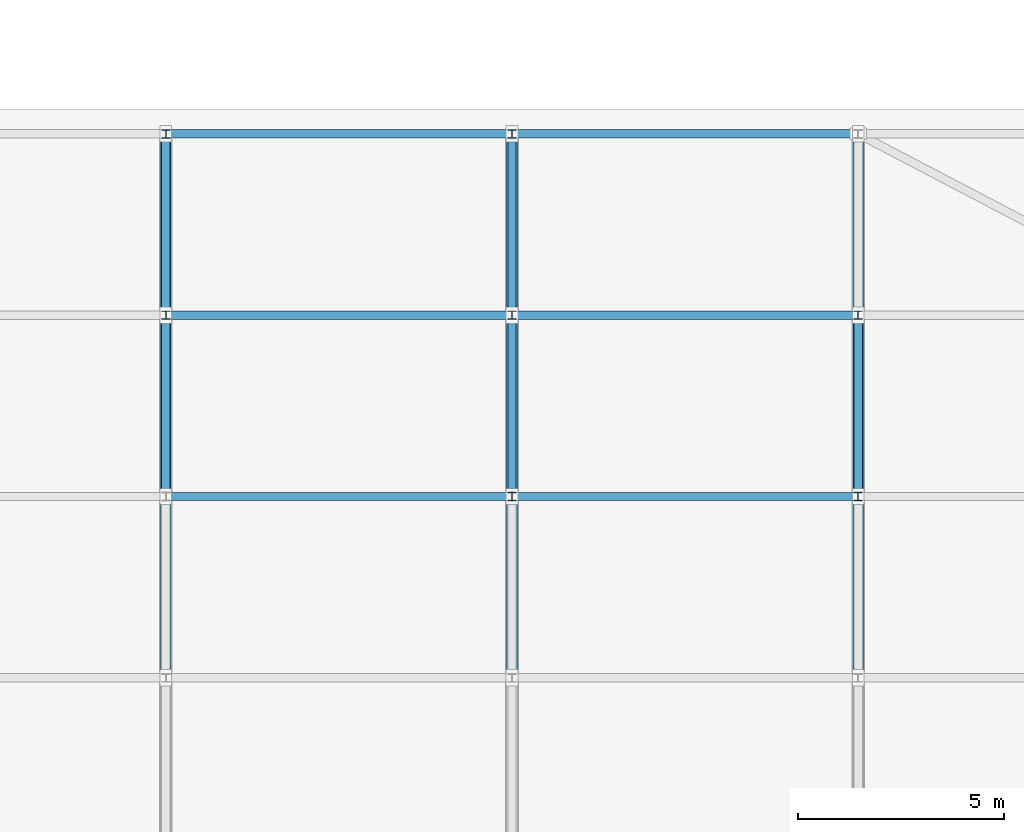
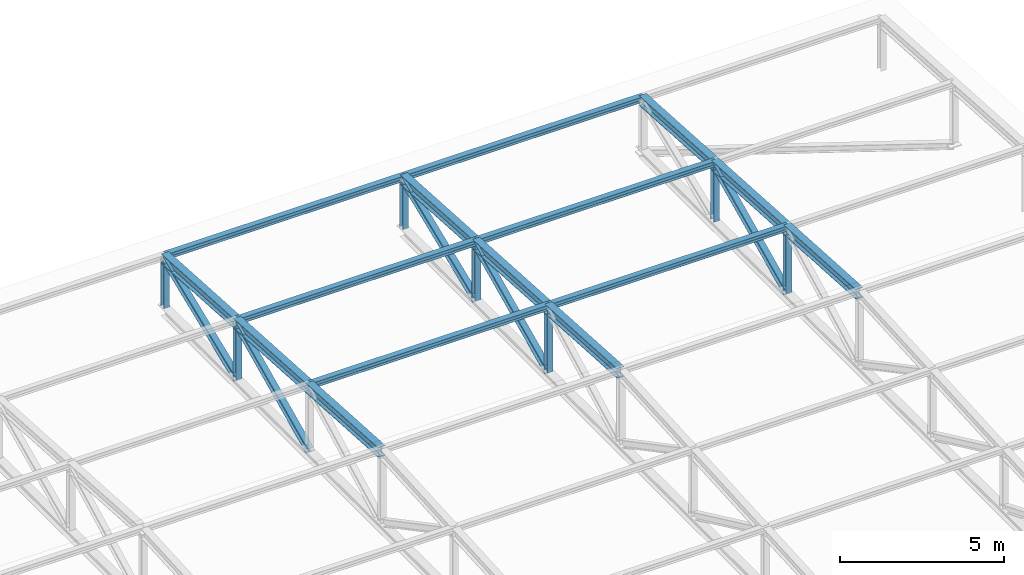
# One storey, part 19 of 49: 21 members.
"""IFC4 building model written with IfcOpenShell, lengths in metres."""

from ifc_helpers import new_model, si_unit, direction, frame, origin, origin_2d, place, context, subcontext, project, spatial, i_section, extrude, material, material_profile, profile_set, type_object, element, save


model = new_model("IFC4")

# Units and contexts
model_context = context("Model", 3, precision=1e-05, world=origin(), true_north=direction((0.0, 1.0)))
body_context = subcontext(model_context, "Body", "Model", "MODEL_VIEW")
ifc_project = project(units=[si_unit("LENGTHUNIT", "METRE"), si_unit("AREAUNIT", "SQUARE_METRE"), si_unit("VOLUMEUNIT", "CUBIC_METRE"), si_unit("PLANEANGLEUNIT", "RADIAN"), si_unit("MASSUNIT", "GRAM", prefix="KILO")], contexts=[model_context])

# Site, building, storey
site_placement = place(None, origin())
site = spatial("IfcSite", under=ifc_project, at=site_placement, CompositionType="ELEMENT")
building_placement = place(site_placement, origin())
building = spatial("IfcBuilding", under=site, at=building_placement, Name="Kemercrest Conservatory and Botanical Centre", CompositionType="ELEMENT")
storey_placement = place(building_placement, frame((0.0, 0.0, 13.199951171875)))
storey = spatial("IfcBuildingStorey", under=building, at=storey_placement, Name="L03", CompositionType="ELEMENT", Elevation=13.199951171875)

# Members
ifc_material = material(Name="Steel CSA G40.21 350W", Category="steel")
ifc_material_profile_1 = material_profile(ifc_material, i_section(OverallWidth=0.202880859375, OverallDepth=0.202880859375, WebThickness=0.007080078125, FlangeThickness=0.010986328125, FilletRadius=0.010009765625, at=origin_2d()), Name="W200X46")
ifc_profile_set_1 = profile_set([ifc_material_profile_1], Name="Steel CSA G40.21 350W")
member_type_1 = type_object("IfcMemberType", Name="PR-W200", PredefinedType="PURLIN", material=ifc_profile_set_1)
member_1_placement = place(storey_placement, frame((75.199951171875, 34.39990234375, 2.413330078125), z_axis=(1.0, 0.0, 0.0), x_axis=(0.0, 1.0, 0.0)))
element("IfcMember", 1, at=member_1_placement, inside=storey, type_object=member_type_1, Name="Auditorium roof purlin P4", PredefinedType="PURLIN", context=body_context, shape_type="SweptSolid", body=[
    extrude(i_section(OverallWidth=0.202880859375, OverallDepth=0.202880859375, WebThickness=0.007080078125, FlangeThickness=0.010986328125, FilletRadius=0.010009765625, at=origin_2d()), origin(), (0.0, 0.0, 1.0), 8.400146484375),
])
member_2_placement = place(storey_placement, frame((83.60009765625, 34.39990234375, 2.413330078125), z_axis=(1.0, 0.0, 0.0), x_axis=(0.0, 1.0, 0.0)))
element("IfcMember", 2, at=member_2_placement, inside=storey, type_object=member_type_1, Name="Auditorium roof purlin P4", PredefinedType="PURLIN", context=body_context, shape_type="SweptSolid", body=[
    extrude(i_section(OverallWidth=0.202880859375, OverallDepth=0.202880859375, WebThickness=0.007080078125, FlangeThickness=0.010986328125, FilletRadius=0.010009765625, at=origin_2d()), origin(), (0.0, 0.0, 1.0), 8.39990234375),
])
member_3_placement = place(storey_placement, frame((75.199951171875, 38.800048828125, 2.146728515625), z_axis=(1.0, 0.0, 0.0), x_axis=(0.0, 1.0, 0.0)))
element("IfcMember", 3, at=member_3_placement, inside=storey, type_object=member_type_1, Name="Auditorium roof purlin P5", PredefinedType="PURLIN", context=body_context, shape_type="SweptSolid", body=[
    extrude(i_section(OverallWidth=0.202880859375, OverallDepth=0.202880859375, WebThickness=0.007080078125, FlangeThickness=0.010986328125, FilletRadius=0.010009765625, at=origin_2d()), origin(), (0.0, 0.0, 1.0), 8.400146484375),
])
member_4_placement = place(storey_placement, frame((83.60009765625, 38.800048828125, 2.146728515625), z_axis=(1.0, 0.0, 0.0), x_axis=(0.0, 1.0, 0.0)))
element("IfcMember", 4, at=member_4_placement, inside=storey, type_object=member_type_1, Name="Auditorium roof purlin P5", PredefinedType="PURLIN", context=body_context, shape_type="SweptSolid", body=[
    extrude(i_section(OverallWidth=0.202880859375, OverallDepth=0.202880859375, WebThickness=0.007080078125, FlangeThickness=0.010986328125, FilletRadius=0.010009765625, at=origin_2d()), origin(), (0.0, 0.0, 1.0), 8.39990234375),
])
member_5_placement = place(storey_placement, frame((75.199951171875, 43.199951171875, 1.880126953125), z_axis=(1.0, 0.0, 0.0), x_axis=(0.0, 1.0, 0.0)))
element("IfcMember", 5, at=member_5_placement, inside=storey, type_object=member_type_1, Name="Auditorium roof purlin P6", PredefinedType="PURLIN", context=body_context, shape_type="SweptSolid", body=[
    extrude(i_section(OverallWidth=0.202880859375, OverallDepth=0.202880859375, WebThickness=0.007080078125, FlangeThickness=0.010986328125, FilletRadius=0.010009765625, at=origin_2d()), origin(), (0.0, 0.0, 1.0), 8.400146484375),
])
member_6_placement = place(storey_placement, frame((83.60009765625, 43.199951171875, 1.880126953125), z_axis=(1.0, 0.0, 0.0), x_axis=(0.0, 1.0, 0.0)))
element("IfcMember", 6, at=member_6_placement, inside=storey, type_object=member_type_1, Name="Auditorium roof purlin P6", PredefinedType="PURLIN", context=body_context, shape_type="SweptSolid", body=[
    extrude(i_section(OverallWidth=0.202880859375, OverallDepth=0.202880859375, WebThickness=0.007080078125, FlangeThickness=0.010986328125, FilletRadius=0.010009765625, at=origin_2d()), origin(), (0.0, 0.0, 1.0), 8.39990234375),
])
ifc_material_profile_2 = material_profile(ifc_material, i_section(OverallWidth=0.257080078125, OverallDepth=0.363037109375, WebThickness=0.012939453125, FlangeThickness=0.021728515625, FilletRadius=0.01611328125, at=origin_2d()), Name="W360X122")
ifc_profile_set_2 = profile_set([ifc_material_profile_2], Name="Steel CSA G40.21 350W")
member_type_2 = type_object("IfcMemberType", Name="TR-TC360", PredefinedType="CHORD", material=ifc_profile_set_2)
for number, where, z_axis, x_axis, name in (
    (7, (75.199951171875, 30.0, 2.60009765625), (0.0, 0.998168260152, -0.060498962186), (-1.0, 0.0, 0.0), "Auditorium Roof Truss North Top Chord 09"),
    (8, (83.60009765625, 30.0, 2.60009765625), (0.0, 0.998168260152, -0.060498962186), (-1.0, 0.0, 0.0), "Auditorium Roof Truss North Top Chord 10"),
    (9, (92.0, 30.0, 2.60009765625), (0.0, 0.998168260152, -0.060498962186), (-1.0, 0.0, 0.0), "Auditorium Roof Truss North Top Chord 11"),
):
    element("IfcMember", number, at=place(storey_placement, frame(where, z_axis=z_axis, x_axis=x_axis)), inside=storey, type_object=member_type_2, Name=name, PredefinedType="CHORD", context=body_context, shape_type="SweptSolid", body=[
        extrude(i_section(OverallWidth=0.257080078125, OverallDepth=0.363037109375, WebThickness=0.012939453125, FlangeThickness=0.021728515625, FilletRadius=0.01611328125, at=origin_2d()), origin(), (0.0, 0.0, 1.0), 13.22412109375),
    ])
ifc_material_profile_3 = material_profile(ifc_material, i_section(OverallWidth=0.202880859375, OverallDepth=0.202880859375, WebThickness=0.007080078125, FlangeThickness=0.010986328125, FilletRadius=0.010009765625, at=origin_2d()), Name="W200X46")
ifc_profile_set_3 = profile_set([ifc_material_profile_3], Name="Steel CSA G40.21 350W")
member_type_3 = type_object("IfcMemberType", Name="TR-VRT200", PredefinedType="BRACE", material=ifc_profile_set_3)
member_7_placement = place(storey_placement, frame((75.199951171875, 38.800048828125, -0.014892578125), z_axis=(0.0, 0.0, 1.0), x_axis=(1.0, 0.0, 0.0)))
element("IfcMember", 10, at=member_7_placement, inside=storey, type_object=member_type_3, Name="Auditorium Roof Truss Vertical Strut 09-V5", PredefinedType="BRACE", context=body_context, shape_type="SweptSolid", body=[
    extrude(i_section(OverallWidth=0.202880859375, OverallDepth=0.202880859375, WebThickness=0.007080078125, FlangeThickness=0.010986328125, FilletRadius=0.010009765625, at=origin_2d()), origin(), (0.0, 0.0, 1.0), 2.08154296875),
])
member_8_placement = place(storey_placement, frame((75.199951171875, 43.199951171875, -0.014892578125), z_axis=(0.0, 0.0, 1.0), x_axis=(1.0, 0.0, 0.0)))
element("IfcMember", 11, at=member_8_placement, inside=storey, type_object=member_type_3, Name="Auditorium Roof Truss Vertical Strut 09-V6", PredefinedType="BRACE", context=body_context, shape_type="SweptSolid", body=[
    extrude(i_section(OverallWidth=0.202880859375, OverallDepth=0.202880859375, WebThickness=0.007080078125, FlangeThickness=0.010986328125, FilletRadius=0.010009765625, at=origin_2d()), origin(), (0.0, 0.0, 1.0), 1.81494140625),
])
member_9_placement = place(storey_placement, frame((83.60009765625, 34.39990234375, -0.014892578125), z_axis=(0.0, 0.0, 1.0), x_axis=(1.0, 0.0, 0.0)))
element("IfcMember", 12, at=member_9_placement, inside=storey, type_object=member_type_3, Name="Auditorium Roof Truss Vertical Strut 10-V4", PredefinedType="BRACE", context=body_context, shape_type="SweptSolid", body=[
    extrude(i_section(OverallWidth=0.202880859375, OverallDepth=0.202880859375, WebThickness=0.007080078125, FlangeThickness=0.010986328125, FilletRadius=0.010009765625, at=origin_2d()), origin(), (0.0, 0.0, 1.0), 2.34814453125),
])
member_10_placement = place(storey_placement, frame((83.60009765625, 38.800048828125, -0.014892578125), z_axis=(0.0, 0.0, 1.0), x_axis=(1.0, 0.0, 0.0)))
element("IfcMember", 13, at=member_10_placement, inside=storey, type_object=member_type_3, Name="Auditorium Roof Truss Vertical Strut 10-V5", PredefinedType="BRACE", context=body_context, shape_type="SweptSolid", body=[
    extrude(i_section(OverallWidth=0.202880859375, OverallDepth=0.202880859375, WebThickness=0.007080078125, FlangeThickness=0.010986328125, FilletRadius=0.010009765625, at=origin_2d()), origin(), (0.0, 0.0, 1.0), 2.08154296875),
])
member_11_placement = place(storey_placement, frame((83.60009765625, 43.199951171875, -0.014892578125), z_axis=(0.0, 0.0, 1.0), x_axis=(1.0, 0.0, 0.0)))
element("IfcMember", 14, at=member_11_placement, inside=storey, type_object=member_type_3, Name="Auditorium Roof Truss Vertical Strut 10-V6", PredefinedType="BRACE", context=body_context, shape_type="SweptSolid", body=[
    extrude(i_section(OverallWidth=0.202880859375, OverallDepth=0.202880859375, WebThickness=0.007080078125, FlangeThickness=0.010986328125, FilletRadius=0.010009765625, at=origin_2d()), origin(), (0.0, 0.0, 1.0), 1.81494140625),
])
member_12_placement = place(storey_placement, frame((92.0, 34.39990234375, -0.014892578125), z_axis=(0.0, 0.0, 1.0), x_axis=(1.0, 0.0, 0.0)))
element("IfcMember", 15, at=member_12_placement, inside=storey, type_object=member_type_3, Name="Auditorium Roof Truss Vertical Strut 11-V4", PredefinedType="BRACE", context=body_context, shape_type="SweptSolid", body=[
    extrude(i_section(OverallWidth=0.202880859375, OverallDepth=0.202880859375, WebThickness=0.007080078125, FlangeThickness=0.010986328125, FilletRadius=0.010009765625, at=origin_2d()), origin(), (0.0, 0.0, 1.0), 2.34814453125),
])
member_13_placement = place(storey_placement, frame((92.0, 38.800048828125, -0.014892578125), z_axis=(0.0, 0.0, 1.0), x_axis=(1.0, 0.0, 0.0)))
element("IfcMember", 16, at=member_13_placement, inside=storey, type_object=member_type_3, Name="Auditorium Roof Truss Vertical Strut 11-V5", PredefinedType="BRACE", context=body_context, shape_type="SweptSolid", body=[
    extrude(i_section(OverallWidth=0.202880859375, OverallDepth=0.202880859375, WebThickness=0.007080078125, FlangeThickness=0.010986328125, FilletRadius=0.010009765625, at=origin_2d()), origin(), (0.0, 0.0, 1.0), 2.08154296875),
])
ifc_material_profile_4 = material_profile(ifc_material, i_section(OverallWidth=0.202880859375, OverallDepth=0.251953125, WebThickness=0.008056640625, FlangeThickness=0.013427734375, FilletRadius=0.010986328125, at=origin_2d()), Name="W250X58")
ifc_profile_set_4 = profile_set([ifc_material_profile_4], Name="Steel CSA G40.21 350W")
member_type_4 = type_object("IfcMemberType", Name="TR-WEB250", PredefinedType="BRACE", material=ifc_profile_set_4)
member_14_placement = place(storey_placement, frame((75.199951171875, 34.39990234375, -0.014892578125), z_axis=(0.0, 0.905541585504, 0.424257512512), x_axis=(-1.0, 0.0, 0.0)))
element("IfcMember", 17, at=member_14_placement, inside=storey, type_object=member_type_4, Name="Auditorium Roof Truss Web Diagonal 09-D4", PredefinedType="BRACE", context=body_context, shape_type="SweptSolid", body=[
    extrude(i_section(OverallWidth=0.202880859375, OverallDepth=0.251953125, WebThickness=0.008056640625, FlangeThickness=0.013427734375, FilletRadius=0.010986328125, at=origin_2d()), origin(), (0.0, 0.0, 1.0), 4.859130859375),
])
member_15_placement = place(storey_placement, frame((75.199951171875, 38.800048828125, -0.014892578125), z_axis=(0.0, 0.925918062478, 0.377724425443), x_axis=(-1.0, 0.0, 0.0)))
element("IfcMember", 18, at=member_15_placement, inside=storey, type_object=member_type_4, Name="Auditorium Roof Truss Web Diagonal 09-D5", PredefinedType="BRACE", context=body_context, shape_type="SweptSolid", body=[
    extrude(i_section(OverallWidth=0.202880859375, OverallDepth=0.251953125, WebThickness=0.008056640625, FlangeThickness=0.013427734375, FilletRadius=0.010986328125, at=origin_2d()), origin(), (0.0, 0.0, 1.0), 4.751953125),
])
member_16_placement = place(storey_placement, frame((83.60009765625, 34.39990234375, -0.014892578125), z_axis=(0.0, 0.905541585504, 0.424257512512), x_axis=(-1.0, 0.0, 0.0)))
element("IfcMember", 19, at=member_16_placement, inside=storey, type_object=member_type_4, Name="Auditorium Roof Truss Web Diagonal 10-D4", PredefinedType="BRACE", context=body_context, shape_type="SweptSolid", body=[
    extrude(i_section(OverallWidth=0.202880859375, OverallDepth=0.251953125, WebThickness=0.008056640625, FlangeThickness=0.013427734375, FilletRadius=0.010986328125, at=origin_2d()), origin(), (0.0, 0.0, 1.0), 4.859130859375),
])
member_17_placement = place(storey_placement, frame((83.60009765625, 38.800048828125, -0.014892578125), z_axis=(0.0, 0.925918062478, 0.377724425443), x_axis=(-1.0, 0.0, 0.0)))
element("IfcMember", 20, at=member_17_placement, inside=storey, type_object=member_type_4, Name="Auditorium Roof Truss Web Diagonal 10-D5", PredefinedType="BRACE", context=body_context, shape_type="SweptSolid", body=[
    extrude(i_section(OverallWidth=0.202880859375, OverallDepth=0.251953125, WebThickness=0.008056640625, FlangeThickness=0.013427734375, FilletRadius=0.010986328125, at=origin_2d()), origin(), (0.0, 0.0, 1.0), 4.751953125),
])
member_18_placement = place(storey_placement, frame((92.0, 34.39990234375, -0.014892578125), z_axis=(0.0, 0.905541585504, 0.424257512512), x_axis=(-1.0, 0.0, 0.0)))
element("IfcMember", 21, at=member_18_placement, inside=storey, type_object=member_type_4, Name="Auditorium Roof Truss Web Diagonal 11-D4", PredefinedType="BRACE", context=body_context, shape_type="SweptSolid", body=[
    extrude(i_section(OverallWidth=0.202880859375, OverallDepth=0.251953125, WebThickness=0.008056640625, FlangeThickness=0.013427734375, FilletRadius=0.010986328125, at=origin_2d()), origin(), (0.0, 0.0, 1.0), 4.859130859375),
])

save(model, "model.ifc")
